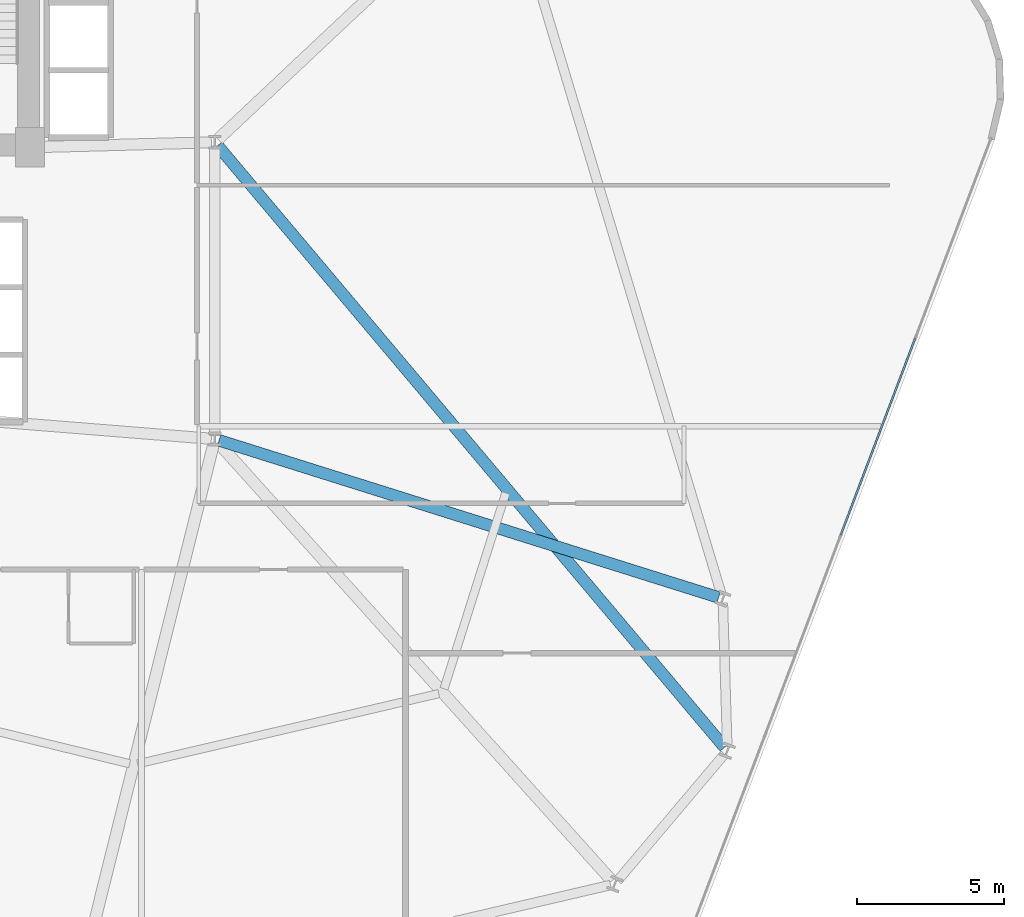
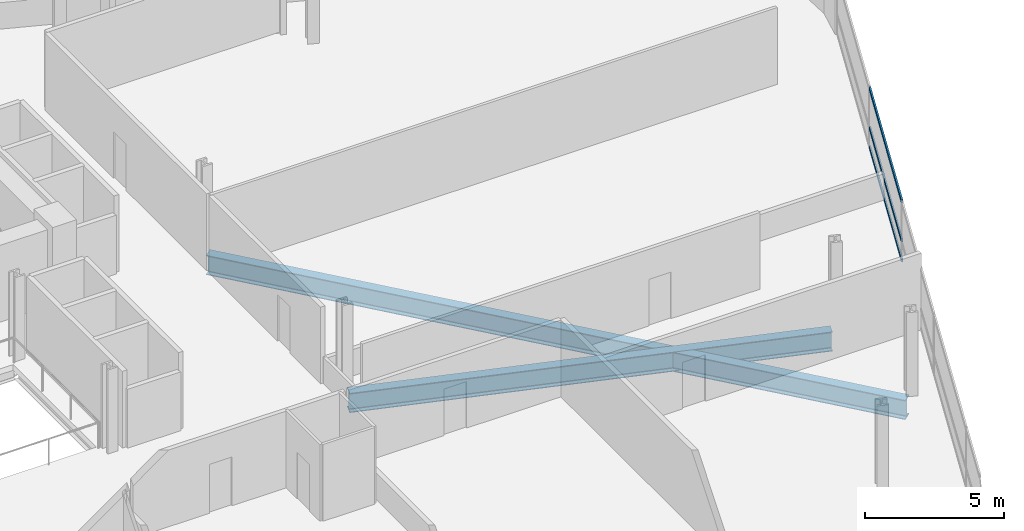
# One storey, part 13 of 25: 3 members, 2 beams, 1 element without a shape of its own.
"""IFC4 building model written with IfcOpenShell, lengths in metres."""

from ifc_helpers import new_model, si_unit, direction, frame, origin, origin_2d, place, context, subcontext, project, spatial, hollow_rectangle, i_section, extrude, material, layer, layer_set, material_profile, profile_set, type_object, element, aggregate, save


model = new_model("IFC4")

# Units and contexts
model_context = context("Model", 3, precision=1e-05, world=origin(), true_north=direction((0.0, 1.0)))
body_context = subcontext(model_context, "Body", "Model", "MODEL_VIEW")
ifc_project = project(units=[si_unit("LENGTHUNIT", "METRE"), si_unit("AREAUNIT", "SQUARE_METRE"), si_unit("VOLUMEUNIT", "CUBIC_METRE"), si_unit("PLANEANGLEUNIT", "RADIAN"), si_unit("MASSUNIT", "GRAM", prefix="KILO")], contexts=[model_context])

# Site, building, storey
site_placement = place(None, origin())
site = spatial("IfcSite", under=ifc_project, at=site_placement, CompositionType="ELEMENT")
building_placement = place(site_placement, origin())
building = spatial("IfcBuilding", under=site, at=building_placement, Name="Varnelok Gate Tower", CompositionType="ELEMENT")
storey_placement = place(building_placement, frame((0.0, 0.0, 113.199951171875)))
storey = spatial("IfcBuildingStorey", under=building, at=storey_placement, Name="L28", CompositionType="ELEMENT", Elevation=113.199951171875)

# Beams
ifc_material_1 = material(Name="Structural Steel ASTM A992 Grade 50", Category="steel")
ifc_material_profile_1 = material_profile(ifc_material_1, i_section(OverallWidth=0.39892578125, OverallDepth=0.85498046875, WebThickness=0.018310546875, FlangeThickness=0.029296875, FilletRadius=0.02392578125, at=origin_2d()), Name="W33X201")
ifc_profile_set_1 = profile_set([ifc_material_profile_1], Name="Structural Steel ASTM A992 Grade 50")
beam_type = type_object("IfcBeamType", Name="BM-PRI-W33X201", PredefinedType="BEAM", material=ifc_profile_set_1)
beam_1_placement = place(storey_placement, frame((54.0966796875, 28.805419921875, -0.677490234375), z_axis=(0.644241110533, -0.764822457502, 0.0), x_axis=(0.764822457502, 0.644241110533, 0.0)))
element("IfcBeam", 1, at=beam_1_placement, inside=storey, type_object=beam_type, Name="L28 Radial Floor Girder 7", PredefinedType="BEAM", context=body_context, shape_type="SweptSolid", body=[
    extrude(i_section(OverallWidth=0.39892578125, OverallDepth=0.85498046875, WebThickness=0.018310546875, FlangeThickness=0.029296875, FilletRadius=0.02392578125, at=origin_2d()), origin(), (0.0, 0.0, 1.0), 26.8271484375),
])
beam_2_placement = place(storey_placement, frame((54.14306640625, 18.7548828125, -0.677490234375), z_axis=(0.953948561039, -0.299970236678, 0.0), x_axis=(0.299970236678, 0.953948561039, 0.0)))
element("IfcBeam", 2, at=beam_2_placement, inside=storey, type_object=beam_type, Name="L28 Radial Floor Girder 8", PredefinedType="BEAM", context=body_context, shape_type="SweptSolid", body=[
    extrude(i_section(OverallWidth=0.39892578125, OverallDepth=0.85498046875, WebThickness=0.018310546875, FlangeThickness=0.029296875, FilletRadius=0.02392578125, at=origin_2d()), origin(), (0.0, 0.0, 1.0), 17.85498046875),
])

# Curtain wall, members
ifc_material_2 = material(Name="Anodized Aluminum Alloy 6063-T6", Category="aluminium")
ifc_layer = layer(ifc_material_2, 0.179931640625)
ifc_layer_set = layer_set([ifc_layer], Name="Anodized Aluminum Alloy 6063-T6")
curtain_wall_type = type_object("IfcCurtainWallType", Name="CW3-HOTEL-VISION", PredefinedType="USERDEFINED", material=ifc_layer_set)
curtain_wall_placement = place(storey_placement, origin())
curtain_wall = element("IfcCurtainWall", 3, at=curtain_wall_placement, inside=storey, type_object=curtain_wall_type, Name="L28 East End Vision Curtain Wall", ObjectType="UNITISED CURTAIN WALL", PredefinedType="USERDEFINED")
ifc_material_profile_2 = material_profile(ifc_material_2, hollow_rectangle(XDim=0.06494140625, YDim=0.159912109375, WallThickness=0.00390625, at=origin_2d()), Name="ALU160X65X4")
ifc_profile_set_2 = profile_set([ifc_material_profile_2], Name="Anodized Aluminum Alloy 6063-T6")
member_type = type_object("IfcMemberType", Name="CW-TRAN-160", PredefinedType="USERDEFINED", material=ifc_profile_set_2)
member_1_placement = place(storey_placement, frame((77.8798828125, 22.233642578125, 0.032470703125), z_axis=(-0.354048963644, -0.935226887628, 0.0), x_axis=(0.935226887628, -0.354048963644, 0.0)))
member_1 = element("IfcMember", 4, at=member_1_placement, type_object=member_type, Name="CW3 transom 2.1", ObjectType="TRANSOM", PredefinedType="USERDEFINED", context=body_context, shape_type="SweptSolid", body=[
    extrude(hollow_rectangle(XDim=0.06494140625, YDim=0.159912109375, WallThickness=0.00390625, at=origin_2d()), origin(), (0.0, 0.0, 1.0), 7.175048828125),
])
member_2_placement = place(storey_placement, frame((77.8798828125, 22.233642578125, 0.900146484375), z_axis=(-0.354048963644, -0.935226887628, 0.0), x_axis=(0.935226887628, -0.354048963644, 0.0)))
member_2 = element("IfcMember", 5, at=member_2_placement, type_object=member_type, Name="CW3 transom 2.2", ObjectType="TRANSOM", PredefinedType="USERDEFINED", context=body_context, shape_type="SweptSolid", body=[
    extrude(hollow_rectangle(XDim=0.06494140625, YDim=0.159912109375, WallThickness=0.00390625, at=origin_2d()), origin(), (0.0, 0.0, 1.0), 7.175048828125),
])
member_3_placement = place(storey_placement, frame((77.8798828125, 22.233642578125, 2.62744140625), z_axis=(-0.354048963644, -0.935226887628, 0.0), x_axis=(0.935226887628, -0.354048963644, 0.0)))
member_3 = element("IfcMember", 6, at=member_3_placement, type_object=member_type, Name="CW3 transom 2.3", ObjectType="TRANSOM", PredefinedType="USERDEFINED", context=body_context, shape_type="SweptSolid", body=[
    extrude(hollow_rectangle(XDim=0.06494140625, YDim=0.159912109375, WallThickness=0.00390625, at=origin_2d()), origin(), (0.0, 0.0, 1.0), 7.175048828125),
])
aggregate(curtain_wall, [member_1, member_2, member_3])

save(model, "model.ifc")
